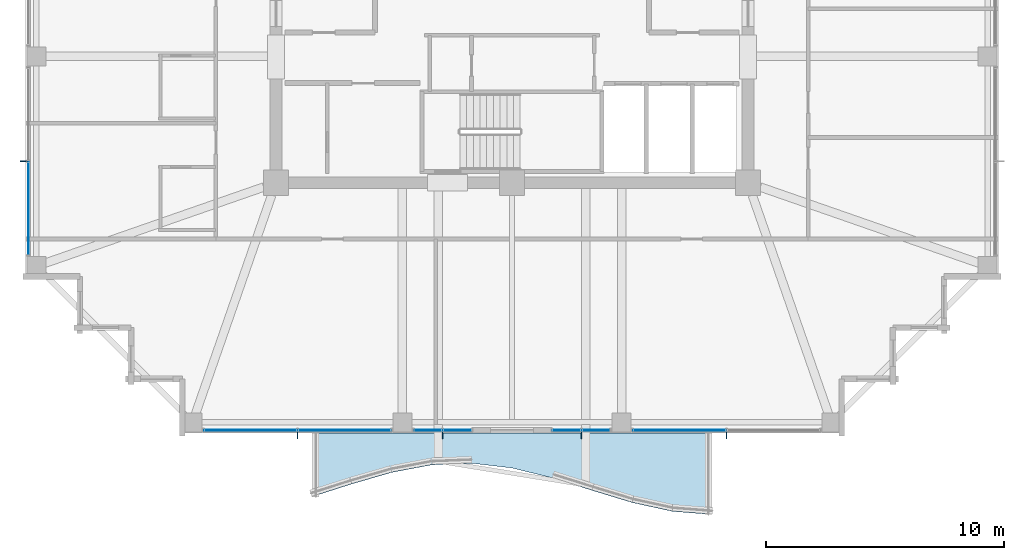
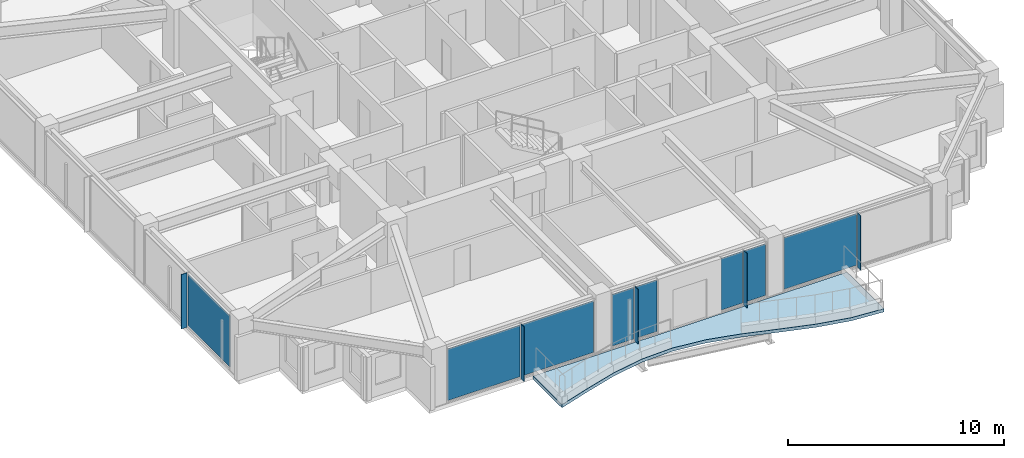
# One storey, part 23 of 36: 13 plates, 1 slab, 5 elements without a shape of their own.
"""IFC4 building model written with IfcOpenShell, lengths in metres."""

from ifc_helpers import new_model, si_unit, direction, frame, origin, origin_2d, place, context, subcontext, project, spatial, polyline, rectangle, outline, extrude, material, layer, layer_set, type_object, element, aggregate, save


model = new_model("IFC4")

# Units and contexts
model_context = context("Model", 3, precision=1e-05, world=origin(), true_north=direction((0.0, 1.0)))
body_context = subcontext(model_context, "Body", "Model", "MODEL_VIEW")
ifc_project = project(units=[si_unit("LENGTHUNIT", "METRE"), si_unit("AREAUNIT", "SQUARE_METRE"), si_unit("VOLUMEUNIT", "CUBIC_METRE"), si_unit("PLANEANGLEUNIT", "RADIAN"), si_unit("MASSUNIT", "GRAM", prefix="KILO")], contexts=[model_context])

# Site, building, storey
site_placement = place(None, origin())
site = spatial("IfcSite", under=ifc_project, at=site_placement, CompositionType="ELEMENT")
building_placement = place(site_placement, origin())
building = spatial("IfcBuilding", under=site, at=building_placement, Name="Kolvaren Belvedere", CompositionType="ELEMENT")
storey_placement = place(building_placement, frame((0.0, 0.0, 199.800048828125)))
storey = spatial("IfcBuildingStorey", under=building, at=storey_placement, Name="L58", CompositionType="ELEMENT", Elevation=199.800048828125)

# Curtain wall, plate
ifc_material_1 = material(Name="Anodised pale-metal aluminium AA 6063-T6", Category="aluminium")
curtain_wall_type = type_object("IfcCurtainWallType", Name="CW-Z5-HIGH", PredefinedType="NOTDEFINED", material=ifc_material_1)
curtain_wall_1_placement = place(storey_placement, origin())
curtain_wall_1 = element("IfcCurtainWall", 1, at=curtain_wall_1_placement, inside=storey, type_object=curtain_wall_type, Name="L58 Unitised Curtain Wall FCW-L58-S1-B1", PredefinedType="NOTDEFINED")
ifc_material_2 = material(Name="Low-iron triple insulated glass", Category="glass")
ifc_layer_1 = layer(ifc_material_2, 0.028076171875)
ifc_layer_set_1 = layer_set([ifc_layer_1], Name="Low-iron triple insulated glass")
plate_type_1 = type_object("IfcPlateType", Name="CW-PNL-VIS28", PredefinedType="CURTAIN_PANEL", material=ifc_layer_set_1)
plate_1_placement = place(storey_placement, frame((7.027587890625, -20.280029296875, 0.080078125), z_axis=(0.0, 0.0, 1.0), x_axis=(-1.0, 0.0, 0.0)))
plate_1 = element("IfcPlate", 2, at=plate_1_placement, type_object=plate_type_1, Name="FCW-L58-S1-B1 Vision Glazing Panel 2", PredefinedType="CURTAIN_PANEL", context=body_context, shape_type="SweptSolid", body=[
    extrude(rectangle(XDim=3.864990234375, YDim=0.028076171875, at=origin_2d()), origin(), (0.0, 0.0, 1.0), 2.919921875),
])
aggregate(curtain_wall_1, [plate_1])

# Curtain wall, plates
curtain_wall_2_placement = place(storey_placement, origin())
curtain_wall_2 = element("IfcCurtainWall", 3, at=curtain_wall_2_placement, inside=storey, type_object=curtain_wall_type, Name="L58 Unitised Curtain Wall FCW-L58-S1-B2", PredefinedType="NOTDEFINED")
plate_2_placement = place(storey_placement, frame((3.52880859375, -20.280029296875, 0.080078125), z_axis=(0.0, 0.0, 1.0), x_axis=(-1.0, 0.0, 0.0)))
plate_2 = element("IfcPlate", 4, at=plate_2_placement, type_object=plate_type_1, Name="FCW-L58-S1-B2 Vision Glazing Panel 1", PredefinedType="CURTAIN_PANEL", context=body_context, shape_type="SweptSolid", body=[
    extrude(rectangle(XDim=1.152587890625, YDim=0.028076171875, at=origin_2d()), origin(), (0.0, 0.0, 1.0), 2.919921875),
])
plate_3_placement = place(storey_placement, frame((2.296142578125, -20.280029296875, 0.080078125), z_axis=(0.0, 0.0, 1.0), x_axis=(-1.0, 0.0, 0.0)))
plate_3 = element("IfcPlate", 5, at=plate_3_placement, type_object=plate_type_1, Name="FCW-L58-S1-B2 Vision Glazing Panel 2", PredefinedType="CURTAIN_PANEL", context=body_context, shape_type="SweptSolid", body=[
    extrude(rectangle(XDim=1.152587890625, YDim=0.028076171875, at=origin_2d()), origin(), (0.0, 0.0, 1.0), 2.919921875),
])
aggregate(curtain_wall_2, [plate_2, plate_3])

curtain_wall_3_placement = place(storey_placement, origin())
curtain_wall_3 = element("IfcCurtainWall", 6, at=curtain_wall_3_placement, inside=storey, type_object=curtain_wall_type, Name="L58 Unitised Curtain Wall FCW-L58-S2-B1", PredefinedType="NOTDEFINED")
plate_4_placement = place(storey_placement, frame((-2.296142578125, -20.280029296875, 0.080078125), z_axis=(0.0, 0.0, 1.0), x_axis=(-1.0, 0.0, 0.0)))
plate_4 = element("IfcPlate", 7, at=plate_4_placement, type_object=plate_type_1, Name="FCW-L58-S2-B1 Vision Glazing Panel 1", PredefinedType="CURTAIN_PANEL", context=body_context, shape_type="SweptSolid", body=[
    extrude(rectangle(XDim=1.152587890625, YDim=0.028076171875, at=origin_2d()), origin(), (0.0, 0.0, 1.0), 2.919921875),
])
plate_5_placement = place(storey_placement, frame((-3.52880859375, -20.280029296875, 0.080078125), z_axis=(0.0, 0.0, 1.0), x_axis=(-1.0, 0.0, 0.0)))
plate_5 = element("IfcPlate", 8, at=plate_5_placement, type_object=plate_type_1, Name="FCW-L58-S2-B1 Vision Glazing Panel 2", PredefinedType="CURTAIN_PANEL", context=body_context, shape_type="SweptSolid", body=[
    extrude(rectangle(XDim=1.152587890625, YDim=0.028076171875, at=origin_2d()), origin(), (0.0, 0.0, 1.0), 2.919921875),
])
aggregate(curtain_wall_3, [plate_4, plate_5])

curtain_wall_4_placement = place(storey_placement, origin())
curtain_wall_4 = element("IfcCurtainWall", 9, at=curtain_wall_4_placement, inside=storey, type_object=curtain_wall_type, Name="L58 Unitised Curtain Wall FCW-L58-S2-B2", PredefinedType="NOTDEFINED")
plate_6_placement = place(storey_placement, frame((-7.027587890625, -20.280029296875, 0.080078125), z_axis=(0.0, 0.0, 1.0), x_axis=(-1.0, 0.0, 0.0)))
plate_6 = element("IfcPlate", 10, at=plate_6_placement, type_object=plate_type_1, Name="FCW-L58-S2-B2 Vision Glazing Panel 1", PredefinedType="CURTAIN_PANEL", context=body_context, shape_type="SweptSolid", body=[
    extrude(rectangle(XDim=3.864990234375, YDim=0.028076171875, at=origin_2d()), origin(), (0.0, 0.0, 1.0), 2.919921875),
])
plate_7_placement = place(storey_placement, frame((-10.972412109375, -20.280029296875, 0.080078125), z_axis=(0.0, 0.0, 1.0), x_axis=(-1.0, 0.0, 0.0)))
plate_7 = element("IfcPlate", 11, at=plate_7_placement, type_object=plate_type_1, Name="FCW-L58-S2-B2 Vision Glazing Panel 2", PredefinedType="CURTAIN_PANEL", context=body_context, shape_type="SweptSolid", body=[
    extrude(rectangle(XDim=3.864990234375, YDim=0.028076171875, at=origin_2d()), origin(), (0.0, 0.0, 1.0), 2.919921875),
])
aggregate(curtain_wall_4, [plate_6, plate_7])

# Curtain wall, plate
curtain_wall_5_placement = place(storey_placement, origin())
curtain_wall_5 = element("IfcCurtainWall", 12, at=curtain_wall_5_placement, inside=storey, type_object=curtain_wall_type, Name="L58 Unitised Curtain Wall FCW-L58-W-B1", PredefinedType="NOTDEFINED")
plate_8_placement = place(storey_placement, frame((-20.280029296875, -10.972412109375, 0.080078125), z_axis=(0.0, 0.0, 1.0), x_axis=(0.0, 1.0, 0.0)))
plate_8 = element("IfcPlate", 13, at=plate_8_placement, type_object=plate_type_1, Name="FCW-L58-W-B1 Vision Glazing Panel 1", PredefinedType="CURTAIN_PANEL", context=body_context, shape_type="SweptSolid", body=[
    extrude(rectangle(XDim=3.864990234375, YDim=0.028076171875, at=origin_2d()), origin(), (0.0, 0.0, 1.0), 2.919921875),
])
aggregate(curtain_wall_5, [plate_8])

# Plates
ifc_material_3 = material(Name="Anodised pale-metal aluminium AA 6063-T6", Category="aluminium")
ifc_layer_2 = layer(ifc_material_3, 0.030029296875)
ifc_layer_set_2 = layer_set([ifc_layer_2], Name="Anodised pale-metal aluminium AA 6063-T6")
plate_type_2 = type_object("IfcPlateType", Name="FIN-VERT-300", PredefinedType="USERDEFINED", material=ifc_layer_set_2)
for number, where, z_axis, x_axis, name in (
    (14, (9.0, -20.489990234375, 0.0), (0.0, 0.0, 1.0), (0.0, 1.0, 0.0), "L58 Pale-Metal Vertical Shading Fin FCW-L58-S1-B1-1"),
    (15, (2.91259765625, -20.489990234375, 0.0), (0.0, 0.0, 1.0), (0.0, 1.0, 0.0), "L58 Pale-Metal Vertical Shading Fin FCW-L58-S1-B2-1"),
    (16, (-2.91259765625, -20.489990234375, 0.0), (0.0, 0.0, 1.0), (0.0, 1.0, 0.0), "L58 Pale-Metal Vertical Shading Fin FCW-L58-S2-B1-1"),
    (17, (-9.0, -20.489990234375, 0.0), (0.0, 0.0, 1.0), (0.0, 1.0, 0.0), "L58 Pale-Metal Vertical Shading Fin FCW-L58-S2-B2-1"),
    (18, (-20.489990234375, -9.0, 0.0), (0.0, 0.0, 1.0), (1.0, 0.0, 0.0), "L58 Pale-Metal Vertical Shading Fin FCW-L58-W-B1-1"),
):
    element("IfcPlate", number, at=place(storey_placement, frame(where, z_axis=z_axis, x_axis=x_axis)), inside=storey, type_object=plate_type_2, Name=name, ObjectType="VERTICAL FIN", PredefinedType="USERDEFINED", context=body_context, shape_type="SweptSolid", body=[
        extrude(rectangle(XDim=0.300048828125, YDim=0.030029296875, at=origin_2d()), origin(), (0.0, 0.0, 1.0), 3.080078125),
    ])

# Slab
ifc_material_4 = material(Name="Concrete C50/60", Category="concrete")
ifc_layer_3 = layer(ifc_material_4, 0.179931640625)
ifc_layer_set_3 = layer_set([ifc_layer_3], Name="Concrete C50/60")
slab_type = type_object("IfcSlabType", Name="SL-BAL-180", PredefinedType="FLOOR", material=ifc_layer_set_3)
slab_placement = place(storey_placement, frame((0.0, 0.0, -0.219970703125)))
element("IfcSlab", 19, at=slab_placement, inside=storey, type_object=slab_type, Name="L58 Planted Balcony BAL-S", PredefinedType="FLOOR", context=body_context, shape_type="SweptSolid", body=[
    extrude(outline(polyline([(-8.39990234375, -23.07373046875), (-6.719970703125, -22.53759765625), (-5.0400390625, -22.051513671875), (-3.360107421875, -21.73583984375), (-1.679931640625, -21.66845703125), (0.0, -21.8662109375), (1.679931640625, -22.2802734375), (3.360107421875, -22.807861328125), (5.0400390625, -23.318603515625), (6.719970703125, -23.686279296875), (8.39990234375, -23.820068359375), (8.39990234375, -20.39990234375), (6.719970703125, -20.39990234375), (5.0400390625, -20.39990234375), (3.360107421875, -20.39990234375), (1.679931640625, -20.39990234375), (0.0, -20.39990234375), (-1.679931640625, -20.39990234375), (-3.360107421875, -20.39990234375), (-5.0400390625, -20.39990234375), (-6.719970703125, -20.39990234375), (-8.39990234375, -20.39990234375), (-8.39990234375, -23.07373046875)])), origin(), (0.0, 0.0, 1.0), 0.179931640625),
])

save(model, "model.ifc")
